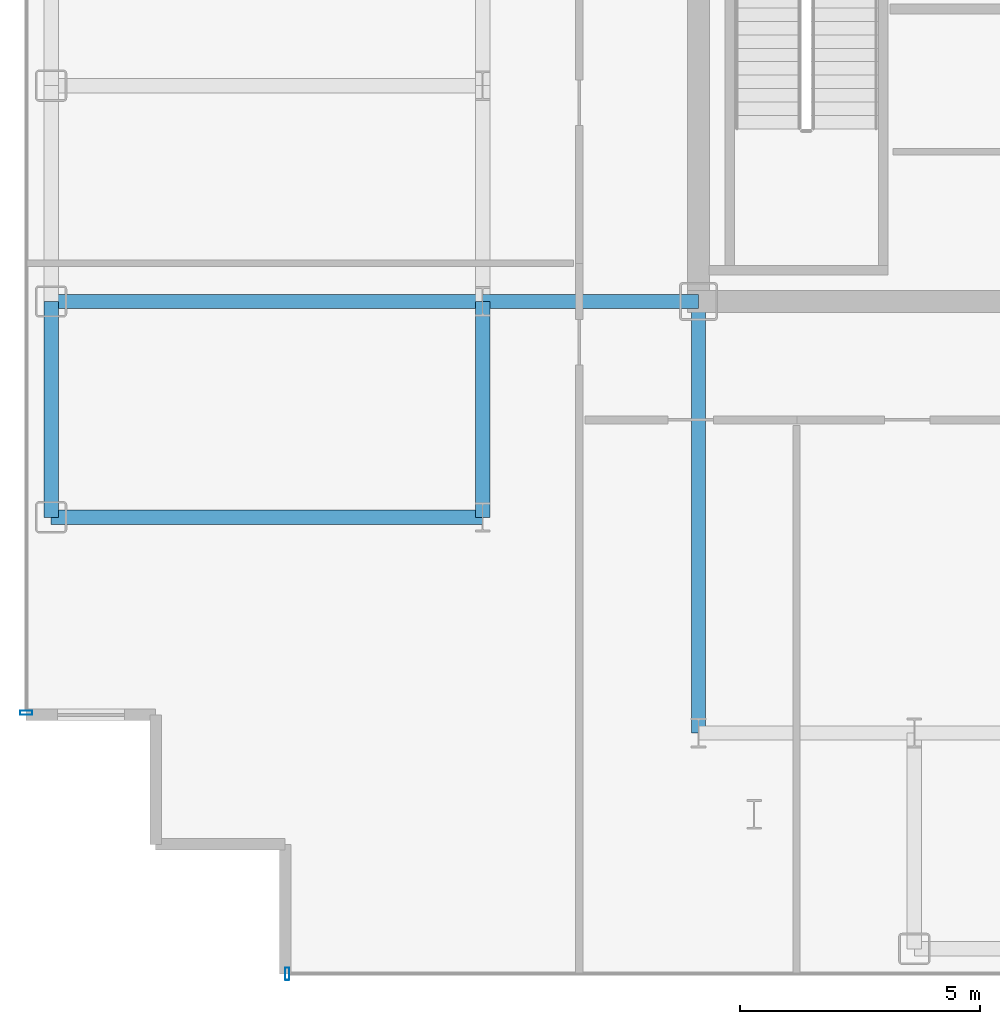
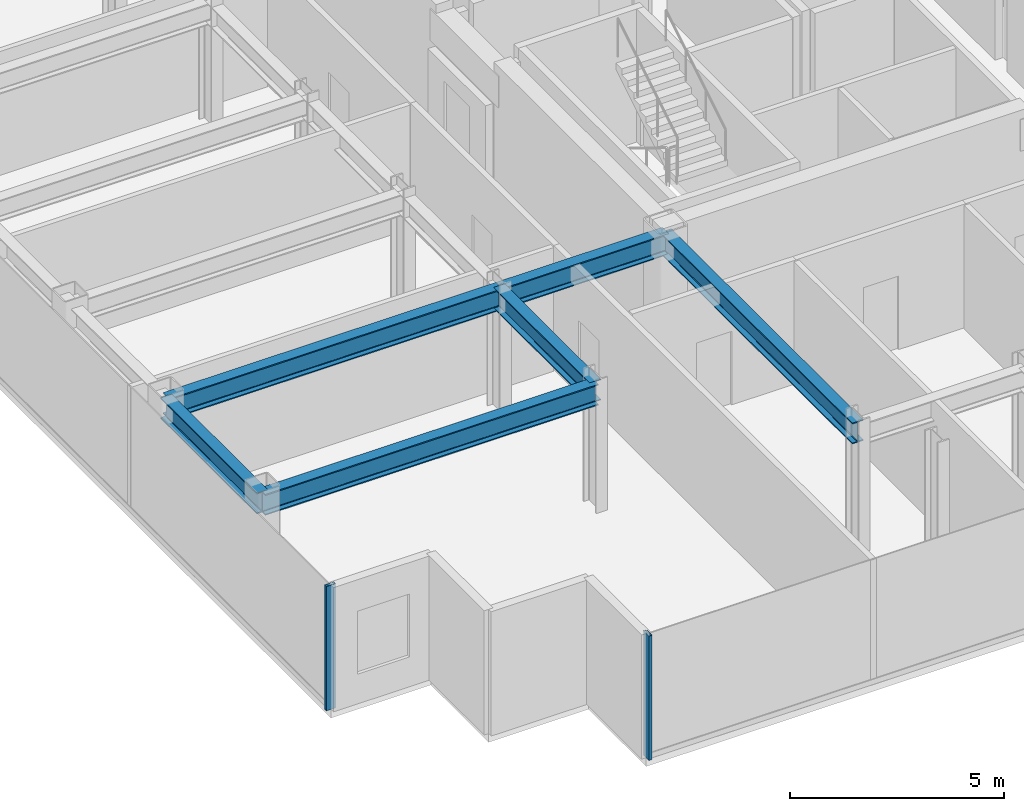
# One storey, part 2 of 18: 6 beams, 2 members, 2 elements without a shape of their own.
"""IFC4 building model written with IfcOpenShell, lengths in metres."""

from ifc_helpers import new_model, si_unit, direction, frame, origin, origin_2d, place, context, subcontext, project, spatial, hollow_rectangle, i_section, extrude, source, transform, mapped, material, layer, layer_set, material_profile, profile_set, type_object, element, aggregate, save


model = new_model("IFC4")

# Units and contexts
model_context = context("Model", 3, precision=1e-05, world=origin(), true_north=direction((0.0, 1.0)))
body_context = subcontext(model_context, "Body", "Model", "MODEL_VIEW")
ifc_project = project(units=[si_unit("LENGTHUNIT", "METRE"), si_unit("AREAUNIT", "SQUARE_METRE"), si_unit("VOLUMEUNIT", "CUBIC_METRE"), si_unit("PLANEANGLEUNIT", "RADIAN"), si_unit("MASSUNIT", "GRAM", prefix="KILO")], contexts=[model_context])

# Site, building, storey
site_placement = place(None, origin())
site = spatial("IfcSite", under=ifc_project, at=site_placement, CompositionType="ELEMENT")
building_placement = place(site_placement, origin())
building = spatial("IfcBuilding", under=site, at=building_placement, Name="Nefas-Gora Pilgrimage Tower", CompositionType="ELEMENT")
storey_placement = place(building_placement, frame((0.0, 0.0, 272.199951171875)))
storey = spatial("IfcBuildingStorey", under=building, at=storey_placement, Name="L68", CompositionType="ELEMENT", Elevation=272.199951171875)

# Beams
ifc_material_1 = material(Name="Steel S355", Category="steel")
ifc_material_profile_1 = material_profile(ifc_material_1, i_section(OverallWidth=0.300048828125, OverallDepth=0.60009765625, WebThickness=0.015380859375, FlangeThickness=0.030029296875, FilletRadius=0.027099609375, at=origin_2d()), Name="HEB 600")
ifc_profile_set_1 = profile_set([ifc_material_profile_1], Name="Steel S355")
beam_type_1 = type_object("IfcBeamType", Name="BM-SPN-HEB450", PredefinedType="SPANDREL", material=ifc_profile_set_1)
shared_shape_1 = source(origin(), body_context, "Body", "SweptSolid", [
    extrude(i_section(OverallWidth=0.300048828125, OverallDepth=0.60009765625, WebThickness=0.015380859375, FlangeThickness=0.030029296875, FilletRadius=0.027099609375, at=origin_2d()), origin(), (0.0, 0.0, 1.0), 4.5),
])
beam_placement = place(storey_placement, frame((-24.75, -13.5, 3.25), z_axis=(0.0, 1.0, 0.0), x_axis=(-1.0, 0.0, 0.0)))
element("IfcBeam", 1, at=beam_placement, inside=storey, type_object=beam_type_1, Name="L68 SP-03 beam", PredefinedType="SPANDREL", context=body_context, shape_type="MappedRepresentation", body=[
    mapped(shared_shape_1, transform((0.0, 0.0, 0.0), x_axis=(1.0, 0.0, 0.0), y_axis=(0.0, 1.0, 0.0), z_axis=(0.0, 0.0, 1.0), scale=1.0)),
])
ifc_material_profile_2 = material_profile(ifc_material_1, i_section(OverallWidth=0.300048828125, OverallDepth=0.60009765625, WebThickness=0.015380859375, FlangeThickness=0.030029296875, FilletRadius=0.027099609375, at=origin_2d()), Name="HEB 600")
ifc_profile_set_2 = profile_set([ifc_material_profile_2], Name="Steel S355")
beam_type_2 = type_object("IfcBeamType", Name="BM-GIR-HEB600", PredefinedType="BEAM", material=ifc_profile_set_2)
shared_shape_2 = source(origin(), body_context, "Body", "SweptSolid", [
    extrude(i_section(OverallWidth=0.300048828125, OverallDepth=0.60009765625, WebThickness=0.015380859375, FlangeThickness=0.030029296875, FilletRadius=0.027099609375, at=origin_2d()), origin(), (0.0, 0.0, 1.0), 9.0),
])
for number, where, z_axis, x_axis, name in (
    (2, (-24.75, -13.5, 3.25), (1.0, 0.0, 0.0), (0.0, 1.0, 0.0), "L68 G-04 beam"),
    (3, (-24.75, -9.0, 3.25), (1.0, 0.0, 0.0), (0.0, 1.0, 0.0), "L68 G-04 beam"),
    (4, (-11.25, -18.0, 3.25), (0.0, 1.0, 0.0), (-1.0, 0.0, 0.0), "L68 G-04 beam"),
):
    element("IfcBeam", number, at=place(storey_placement, frame(where, z_axis=z_axis, x_axis=x_axis)), inside=storey, type_object=beam_type_2, Name=name, PredefinedType="BEAM", context=body_context, shape_type="MappedRepresentation", body=[
        mapped(shared_shape_2, transform((0.0, 0.0, 0.0), x_axis=(1.0, 0.0, 0.0), y_axis=(0.0, 1.0, 0.0), z_axis=(0.0, 0.0, 1.0), scale=1.0)),
    ])
shared_shape_3 = source(origin(), body_context, "Body", "SweptSolid", [
    extrude(i_section(OverallWidth=0.300048828125, OverallDepth=0.60009765625, WebThickness=0.015380859375, FlangeThickness=0.030029296875, FilletRadius=0.027099609375, at=origin_2d()), origin(), (0.0, 0.0, 1.0), 4.5),
])
for number, where, z_axis, x_axis, name in (
    (5, (-15.75, -13.5, 3.25), (0.0, 1.0, 0.0), (-1.0, 0.0, 0.0), "L68 G-04 beam"),
    (6, (-15.75, -9.0, 3.25), (1.0, 0.0, 0.0), (0.0, 1.0, 0.0), "L68 G-04 beam"),
):
    element("IfcBeam", number, at=place(storey_placement, frame(where, z_axis=z_axis, x_axis=x_axis)), inside=storey, type_object=beam_type_2, Name=name, PredefinedType="BEAM", context=body_context, shape_type="MappedRepresentation", body=[
        mapped(shared_shape_3, transform((0.0, 0.0, 0.0), x_axis=(1.0, 0.0, 0.0), y_axis=(0.0, 1.0, 0.0), z_axis=(0.0, 0.0, 1.0), scale=1.0)),
    ])

# Curtain wall, member
ifc_material_2 = material(Name="Dark ceramic-fritted solar-control aluminium-glass curtain wall", Category="aluminium")
ifc_layer = layer(ifc_material_2, 0.219970703125)
ifc_layer_set = layer_set([ifc_layer], Name="Dark ceramic-fritted solar-control aluminium-glass curtain wall")
curtain_wall_type = type_object("IfcCurtainWallType", Name="CW-SYS-4", PredefinedType="NOTDEFINED", material=ifc_layer_set)
curtain_wall_1_placement = place(storey_placement, origin())
curtain_wall_1 = element("IfcCurtainWall", 7, at=curtain_wall_1_placement, inside=storey, type_object=curtain_wall_type, Name="L68 Unitised Curtain Wall CW4", PredefinedType="NOTDEFINED")
ifc_material_3 = material(Name="Anodised architectural aluminium", Category="aluminium")
ifc_material_profile_3 = material_profile(ifc_material_3, hollow_rectangle(XDim=0.090087890625, YDim=0.260009765625, WallThickness=0.006103515625, InnerFilletRadius=0.006103515625, OuterFilletRadius=0.011962890625, at=origin_2d()), Name="ALU MULLION 90x260")
ifc_profile_set_3 = profile_set([ifc_material_profile_3], Name="Anodised architectural aluminium")
member_type = type_object("IfcMemberType", Name="CWM-MUL-4", PredefinedType="MULLION", material=ifc_profile_set_3)
shared_shape_4 = source(origin(), body_context, "Body", "SweptSolid", [
    extrude(hollow_rectangle(XDim=0.090087890625, YDim=0.260009765625, WallThickness=0.006103515625, InnerFilletRadius=0.006103515625, OuterFilletRadius=0.011962890625, at=origin_2d()), origin(), (0.0, 0.0, 1.0), 3.550048828125),
])
member_1_placement = place(storey_placement, frame((-25.27001953125, -17.574951171875, 0.0), z_axis=(0.0, 0.0, 1.0), x_axis=(0.0, -1.0, 0.0)))
member_1 = element("IfcMember", 8, at=member_1_placement, type_object=member_type, Name="CW4 Mullion 3", PredefinedType="MULLION", context=body_context, shape_type="MappedRepresentation", body=[
    mapped(shared_shape_4, transform((0.0, 0.0, 0.0), x_axis=(1.0, 0.0, 0.0), y_axis=(0.0, 1.0, 0.0), z_axis=(0.0, 0.0, 1.0), scale=1.0)),
])
aggregate(curtain_wall_1, [member_1])

curtain_wall_2_placement = place(storey_placement, origin())
curtain_wall_2 = element("IfcCurtainWall", 9, at=curtain_wall_2_placement, inside=storey, type_object=curtain_wall_type, Name="L68 Unitised Curtain Wall CW4", PredefinedType="NOTDEFINED")
member_2_placement = place(storey_placement, frame((-19.824951171875, -23.02001953125, 0.0), z_axis=(0.0, 0.0, 1.0), x_axis=(1.0, 0.0, 0.0)))
member_2 = element("IfcMember", 10, at=member_2_placement, type_object=member_type, Name="CW4 Mullion 1", PredefinedType="MULLION", context=body_context, shape_type="MappedRepresentation", body=[
    mapped(shared_shape_4, transform((0.0, 0.0, 0.0), x_axis=(1.0, 0.0, 0.0), y_axis=(0.0, 1.0, 0.0), z_axis=(0.0, 0.0, 1.0), scale=1.0)),
])
aggregate(curtain_wall_2, [member_2])

save(model, "model.ifc")
